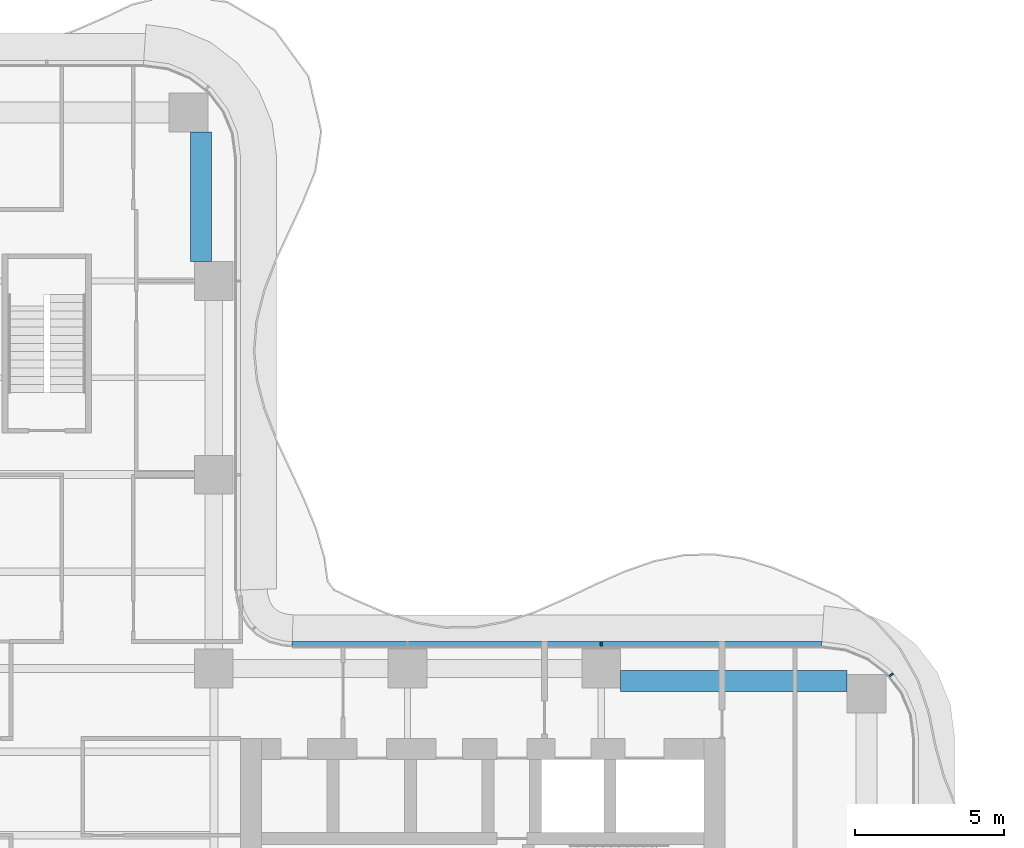
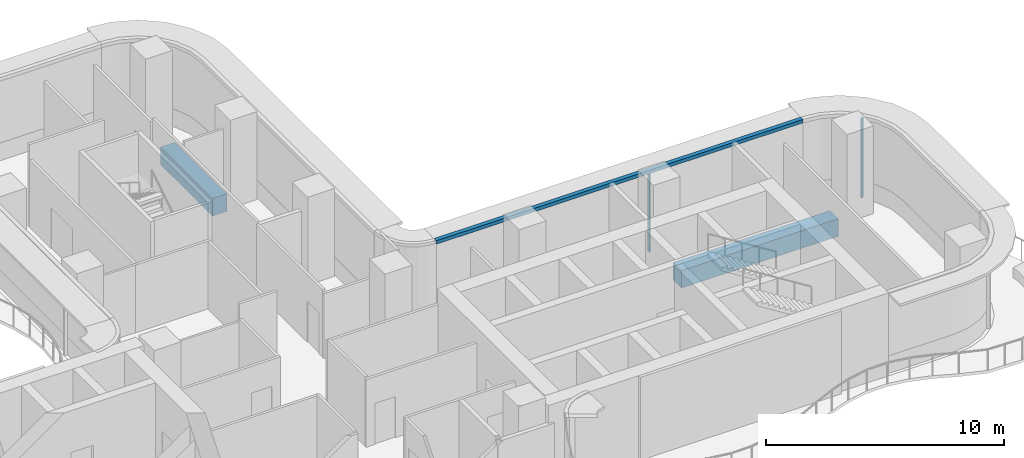
# One storey, part 11 of 22: 3 members, 2 beams, 2 elements without a shape of their own.
"""IFC4 building model written with IfcOpenShell, lengths in metres."""

from ifc_helpers import new_model, si_unit, direction, frame, origin, origin_2d, place, context, subcontext, project, spatial, polyline, rectangle, outline, extrude, source, transform, mapped, material, layer, layer_set, material_profile, profile_set, type_object, element, aggregate, save


model = new_model("IFC4")

# Units and contexts
model_context = context("Model", 3, precision=1e-05, world=origin(), true_north=direction((0.0, 1.0)))
body_context = subcontext(model_context, "Body", "Model", "MODEL_VIEW")
ifc_project = project(units=[si_unit("LENGTHUNIT", "METRE"), si_unit("AREAUNIT", "SQUARE_METRE"), si_unit("VOLUMEUNIT", "CUBIC_METRE"), si_unit("PLANEANGLEUNIT", "RADIAN"), si_unit("MASSUNIT", "GRAM", prefix="KILO")], contexts=[model_context])

# Site, building, storey
site_placement = place(None, origin())
site = spatial("IfcSite", under=ifc_project, at=site_placement, CompositionType="ELEMENT")
building_placement = place(site_placement, origin())
building = spatial("IfcBuilding", under=site, at=building_placement, Name="Trellis Farm Tower", CompositionType="ELEMENT")
storey_placement = place(building_placement, frame((0.0, 0.0, 124.5)))
storey = spatial("IfcBuildingStorey", under=building, at=storey_placement, Name="L26", CompositionType="ELEMENT", Elevation=124.5)

# Beams
ifc_material_1 = material(Name="Concrete C60/75", Category="concrete")
ifc_material_profile_1 = material_profile(ifc_material_1, rectangle(XDim=0.699951171875, YDim=0.89990234375, at=origin_2d()), Name="RC spandrel beam 700x900 C60/75")
ifc_profile_set_1 = profile_set([ifc_material_profile_1], Name="Concrete C60/75")
beam_type = type_object("IfcBeamType", Name="RC spandrel beam 700x900 C60/75", PredefinedType="SPANDREL", material=ifc_profile_set_1)
shared_shape_1 = source(origin(), body_context, "Body", "SweptSolid", [
    extrude(rectangle(XDim=0.699951171875, YDim=0.89990234375, at=origin_2d()), origin(), (0.0, 0.0, 1.0), 4.35009765625),
])
beam_1_placement = place(storey_placement, frame((5.175048828125, 19.25, -0.699951171875), z_axis=(0.0, 1.0, 0.0), x_axis=(-1.0, 0.0, 0.0)))
element("IfcBeam", 1, at=beam_1_placement, inside=storey, type_object=beam_type, Name="Girder", PredefinedType="SPANDREL", context=body_context, shape_type="MappedRepresentation", body=[
    mapped(shared_shape_1, transform((0.0, 0.0, 0.0))),
])
shared_shape_2 = source(origin(), body_context, "Body", "SweptSolid", [
    extrude(rectangle(XDim=0.699951171875, YDim=0.89990234375, at=origin_2d()), origin(), (0.0, 0.0, 1.0), 7.60009765625),
])
beam_2_placement = place(storey_placement, frame((19.25, 5.175048828125, -0.699951171875), z_axis=(1.0, 0.0, 0.0), x_axis=(0.0, 1.0, 0.0)))
element("IfcBeam", 2, at=beam_2_placement, inside=storey, type_object=beam_type, Name="Girder", PredefinedType="SPANDREL", context=body_context, shape_type="MappedRepresentation", body=[
    mapped(shared_shape_2, transform((0.0, 0.0, 0.0))),
])

# Curtain wall, member
ifc_material_2 = material(Name="Aluminium and glass curtain wall", Category="aluminium")
ifc_layer_1 = layer(ifc_material_2, 0.18994140625)
ifc_layer_set_1 = layer_set([ifc_layer_1], Name="RIBBON CURTAIN WALL CW1")
curtain_wall_type = type_object("IfcCurtainWallType", Name="RIBBON CURTAIN WALL CW1", PredefinedType="NOTDEFINED", material=ifc_layer_set_1)
placement = place(storey_placement, origin())
curtain_wall_1 = element("IfcCurtainWall", 3, at=placement, inside=storey, type_object=curtain_wall_type, Name="CW1 007", PredefinedType="NOTDEFINED")
ifc_material_3 = material(Name="Aluminium extrusion 6063-T6", Category="aluminium")
ifc_material_profile_2 = material_profile(ifc_material_3, rectangle(XDim=0.06005859375, YDim=0.14990234375, at=origin_2d()), Name="MULLION 60x150")
ifc_profile_set_2 = profile_set([ifc_material_profile_2], Name="Aluminium extrusion 6063-T6")
member_type_1 = type_object("IfcMemberType", Name="CW1 MULLION 60x150", PredefinedType="MULLION", material=ifc_profile_set_2)
shared_shape_3 = source(origin(), body_context, "Body", "SweptSolid", [
    extrude(rectangle(XDim=0.06005859375, YDim=0.14990234375, at=origin_2d()), origin(), (0.0, 0.0, 1.0), 4.070068359375),
])
member_1_placement = place(storey_placement, frame((28.328369140625, 5.385498046875, 0.0), z_axis=(0.0, 0.0, 1.0), x_axis=(-0.608761429009, 0.793353340291, 0.0)))
member_1 = element("IfcMember", 4, at=member_1_placement, type_object=member_type_1, Name="MU1 007-02", PredefinedType="MULLION", context=body_context, shape_type="MappedRepresentation", body=[
    mapped(shared_shape_3, transform((0.0, 0.0, 0.0))),
])
aggregate(curtain_wall_1, [member_1])

# Curtain wall, members
curtain_wall_2 = element("IfcCurtainWall", 5, at=placement, inside=storey, type_object=curtain_wall_type, Name="CW1 008", PredefinedType="NOTDEFINED")
member_2_placement = place(storey_placement, frame((18.60009765625, 6.425048828125, 0.0), z_axis=(0.0, 0.0, 1.0), x_axis=(-1.0, 0.0, 0.0)))
member_2 = element("IfcMember", 6, at=member_2_placement, type_object=member_type_1, Name="MU1 008-01", PredefinedType="MULLION", context=body_context, shape_type="MappedRepresentation", body=[
    mapped(shared_shape_3, transform((0.0, 0.0, 0.0))),
])
ifc_layer_2 = layer(ifc_material_3, 0.199951171875)
ifc_layer_set_2 = layer_set([ifc_layer_2], Name="Aluminium extrusion 6063-T6")
member_type_2 = type_object("IfcMemberType", Name="CW1 TRANSOM 200x180", PredefinedType="USERDEFINED", material=ifc_layer_set_2)
shared_shape_4 = source(origin(), body_context, "Body", "SweptSolid", [
    extrude(outline(polyline([(26.0, 6.5), (8.2314453125, 6.5), (8.224853515625, 6.300048828125), (25.98681640625, 6.300048828125), (26.0, 6.5)])), origin(), (0.0, 0.0, 1.0), 0.179931640625),
])
member_3_placement = place(storey_placement, frame((0.0, 0.0, 4.070068359375)))
member_3 = element("IfcMember", 7, at=member_3_placement, type_object=member_type_2, Name="TR1 008", ObjectType="TRANSOM", PredefinedType="USERDEFINED", context=body_context, shape_type="MappedRepresentation", body=[
    mapped(shared_shape_4, transform((0.0, 0.0, 0.0))),
])
aggregate(curtain_wall_2, [member_2, member_3])

save(model, "model.ifc")
